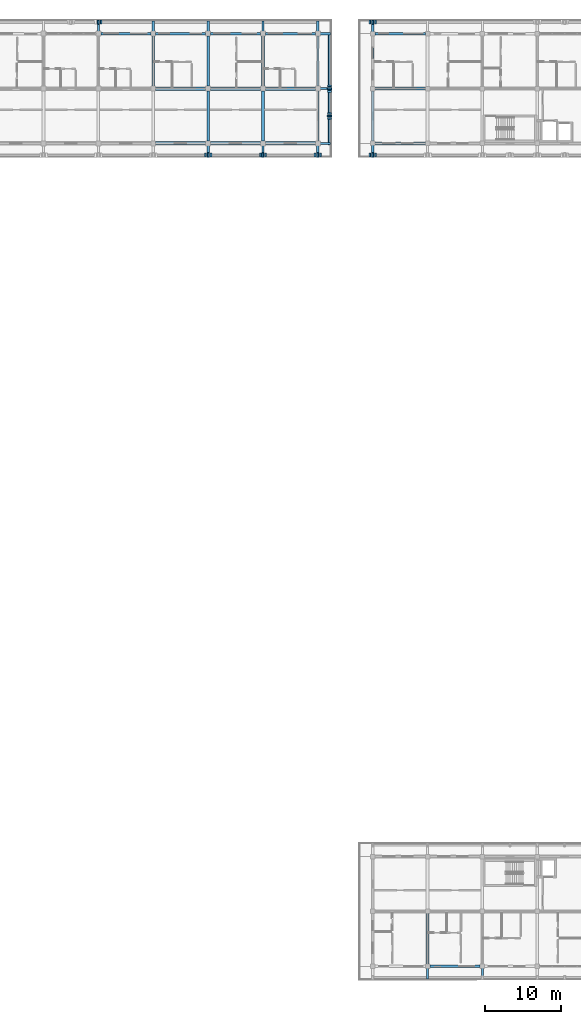
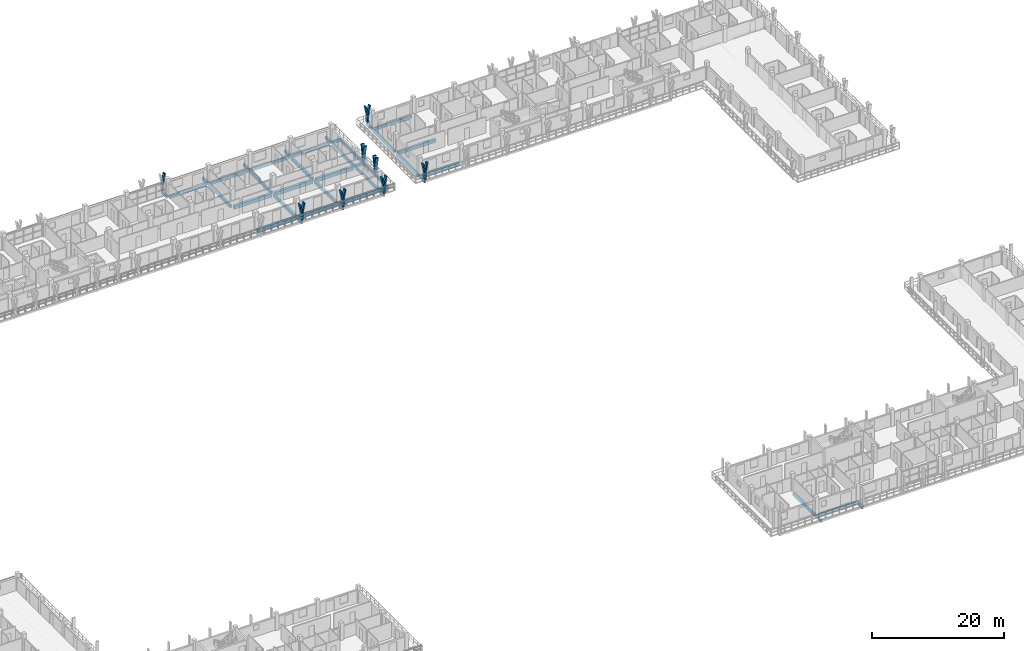
# One storey, part 21 of 76: 40 beams, 23 members.
"""IFC4 building model written with IfcOpenShell, lengths in metres."""

import ifcopenshell
import ifcopenshell.guid

model = None  # the IFC model being written
_history = None  # IfcOwnerHistory: only IFC2X3 demands one
_inside = {}  # id of a spatial element -> (the spatial element, [elements in it])
_under = {}  # id of a project, library or spatial element -> (it, [spatial elements below it])
_declared = {}  # id of a project -> (the project, [libraries it declares])
_typed = {}  # id of a type object -> (the type object, [elements of that type])
_made_of = {}  # id of a material, layer set ... -> (it, [elements and type objects made of it])


def new_model(schema):
    """Start an empty IFC model of exactly this schema.

    Asked for "IFC4X3", IfcOpenShell would pick the latest addendum, in which some entities
    have other attributes; the version numbers below select the first issue.
    IFC2X3 requires an IfcOwnerHistory on every rooted entity: one is made here for all.
    """
    global model, _history
    if schema == "IFC4X3":
        model = ifcopenshell.file(schema_version=(4, 3, 0, 0))
    else:
        model = ifcopenshell.file(schema=schema)
    _inside.clear()
    _under.clear()
    _declared.clear()
    _typed.clear()
    _made_of.clear()
    _history = None
    if model.schema == "IFC2X3":
        org = make("IfcOrganization", Name="unknown")
        user = make(
            "IfcPersonAndOrganization",
            ThePerson=make("IfcPerson", FamilyName="unknown"),
            TheOrganization=org,
        )
        app = make(
            "IfcApplication",
            ApplicationDeveloper=org,
            Version="unknown",
            ApplicationFullName="unknown",
            ApplicationIdentifier="unknown",
        )
        _history = make(
            "IfcOwnerHistory",
            OwningUser=user,
            OwningApplication=app,
            ChangeAction="ADDED",
            CreationDate=0,
        )
    return model


def make(cls, **values):
    """One entity of the class cls with the attributes given. An attribute that is None is left unset."""
    return model.create_entity(
        cls, **{name: value for name, value in values.items() if value is not None}
    )


def rooted(cls, **values):
    """An entity with a GlobalId (a new one), such as an element, a storey or a relation."""
    return make(cls, GlobalId=ifcopenshell.guid.new(), OwnerHistory=_history, **values)


def si_unit(unit_type, name, prefix=None):
    """IfcSIUnit, for example si_unit("LENGTHUNIT", "METRE", prefix="MILLI")."""
    return make("IfcSIUnit", UnitType=unit_type, Prefix=prefix, Name=name)


def assignment(units):
    """IfcUnitAssignment: the units of a project."""
    return None if units is None else make("IfcUnitAssignment", Units=units)


def point(xyz):
    """IfcCartesianPoint."""
    return None if xyz is None else make("IfcCartesianPoint", Coordinates=xyz)


def direction(xyz):
    """IfcDirection."""
    return None if xyz is None else make("IfcDirection", DirectionRatios=xyz)


def frame(location, z_axis=None, x_axis=None):
    """IfcAxis2Placement3D, a coordinate frame: its origin and axes. An axis left out is left unset."""
    return make(
        "IfcAxis2Placement3D",
        Location=point(location),
        Axis=direction(z_axis),
        RefDirection=direction(x_axis),
    )


def frame_2d(location, x_axis=None):
    """IfcAxis2Placement2D, a coordinate frame in the plane: its origin and x axis."""
    return make(
        "IfcAxis2Placement2D", Location=point(location), RefDirection=direction(x_axis)
    )


def origin():
    """The frame at (0, 0, 0) with its axes left unset."""
    return frame((0.0, 0.0, 0.0))


def origin_2d():
    """The frame at (0, 0) in the plane with its x axis left unset."""
    return frame_2d((0.0, 0.0))


def place(relative_to, where):
    """IfcLocalPlacement: puts the frame where relative to a parent placement (None: the world)."""
    return make(
        "IfcLocalPlacement", PlacementRelTo=relative_to, RelativePlacement=where
    )


def context(
    kind, dimensions, precision=None, world=None, true_north=None, identifier=None
):
    """IfcGeometricRepresentationContext, for example the 3D "Model" context."""
    return make(
        "IfcGeometricRepresentationContext",
        ContextIdentifier=identifier,
        ContextType=kind,
        CoordinateSpaceDimension=dimensions,
        Precision=precision,
        WorldCoordinateSystem=world,
        TrueNorth=true_north,
    )


def subcontext(parent, identifier, kind, view, scale=None):
    """IfcGeometricRepresentationSubContext, for example "Body" below "Model"."""
    return make(
        "IfcGeometricRepresentationSubContext",
        ContextIdentifier=identifier,
        ContextType=kind,
        ParentContext=parent,
        TargetScale=scale,
        TargetView=view,
    )


def project(units=None, contexts=None):
    """IfcProject with its units and contexts."""
    return rooted(
        "IfcProject",
        Name="project",
        RepresentationContexts=contexts,
        UnitsInContext=assignment(units),
    )


def spatial(cls, under=None, at=None, **own):
    """A site, building, storey or space (cls), placed at a placement, below another one or the project."""
    s = rooted(cls, ObjectPlacement=at, **own)
    if under is not None:
        _under.setdefault(under.id(), (under, []))[1].append(s)
    return s


def profile(cls, at=None, kind="AREA", **sizes):
    """A parametric profile (cls). Its sizes go by their IFC names, for example OverallWidth=200.0."""
    return make(cls, ProfileType=kind, Position=at, **sizes)


def rectangle(**sizes):
    """IfcRectangleProfileDef."""
    return profile("IfcRectangleProfileDef", **sizes)


def extrude(swept, where, along, depth):
    """IfcExtrudedAreaSolid: the profile swept, set in the frame where, extruded along a direction by depth."""
    return make(
        "IfcExtrudedAreaSolid",
        SweptArea=swept,
        Position=where,
        ExtrudedDirection=direction(along),
        Depth=depth,
    )


def shape(context_of_items, identifier, shape_type, items):
    """IfcShapeRepresentation: the items that make up one representation, for example the "Body"."""
    return make(
        "IfcShapeRepresentation",
        ContextOfItems=context_of_items,
        RepresentationIdentifier=identifier,
        RepresentationType=shape_type,
        Items=items,
    )


def material(Name=None, Category=None):
    """IfcMaterial."""
    return make("IfcMaterial", Name=Name, Category=Category)


def material_profile(
    of_material, cross_section, Name=None, Category=None, Priority=None
):
    """IfcMaterialProfile: a cross section and its material."""
    return make(
        "IfcMaterialProfile",
        Name=Name,
        Material=of_material,
        Profile=cross_section,
        Priority=Priority,
        Category=Category,
    )


def profile_set(profiles, Name=None, composite=None):
    """IfcMaterialProfileSet."""
    return make(
        "IfcMaterialProfileSet",
        Name=Name,
        MaterialProfiles=profiles,
        CompositeProfile=composite,
    )


def made_of(thing, what):
    """Note that an element or type object is made of a material, layer set ...; save() writes the relation."""
    if what is not None:
        _made_of.setdefault(what.id(), (what, []))[1].append(thing)
    return thing


def type_object(cls, material=None, **own):
    """A type object (cls), such as IfcWallType, which elements share."""
    return made_of(rooted(cls, **own), material)


def element(
    cls,
    number,
    at=None,
    inside=None,
    cuts=None,
    type_object=None,
    material=None,
    context=None,
    identifier="Body",
    shape_type=None,
    held_by="IfcProductDefinitionShape",
    body=None,
    shapes=None,
    **own,
):
    """One element of the class cls, such as IfcWall. Its Tag is "e" and its number.

    at: its placement. inside: the storey or other place that contains it. cuts: it is an
    opening in that element (IfcRelVoidsElement). A single representation is given by context,
    identifier, shape_type and body (its items); several are given by shapes. held_by: the class
    of the entity that holds the representations. save() writes the other relations.
    """
    e = rooted(cls, Tag="e%d" % number, ObjectPlacement=at, **own)
    if body is not None:
        shapes = [shape(context, identifier, shape_type, body)]
    if shapes is not None:
        e.Representation = make(held_by, Representations=shapes)
    if inside is not None:
        _inside.setdefault(inside.id(), (inside, []))[1].append(e)
    if cuts is not None:
        rooted(
            "IfcRelVoidsElement", RelatingBuildingElement=cuts, RelatedOpeningElement=e
        )
    if type_object is not None:
        _typed.setdefault(type_object.id(), (type_object, []))[1].append(e)
    return made_of(e, material)


def aggregate(whole, parts):
    """IfcRelAggregates: a whole, such as a stair, and the parts it consists of."""
    return rooted("IfcRelAggregates", RelatingObject=whole, RelatedObjects=parts)


def save(model, path):
    """Write the relations noted so far, then the file.

    IfcRelAggregates (storeys below a building ...), IfcRelContainedInSpatialStructure (elements
    in a storey), IfcRelDefinesByType, IfcRelAssociatesMaterial and IfcRelDeclares: one each for
    every whole, place, type object, material and project.
    """
    for whole, parts in _under.values():
        aggregate(whole, parts)
    for where, things in _inside.values():
        rooted(
            "IfcRelContainedInSpatialStructure",
            RelatedElements=things,
            RelatingStructure=where,
        )
    for kind, things in _typed.values():
        rooted("IfcRelDefinesByType", RelatedObjects=things, RelatingType=kind)
    for what, things in _made_of.values():
        rooted("IfcRelAssociatesMaterial", RelatedObjects=things, RelatingMaterial=what)
    for by, libraries in _declared.values():
        rooted("IfcRelDeclares", RelatingContext=by, RelatedDefinitions=libraries)
    model.write(path)


model = new_model("IFC4")

# Units and contexts
model_context = context("Model", 3, precision=1e-05, world=origin(), true_north=direction((0.0, 1.0)))
body_context = subcontext(model_context, "Body", "Model", "MODEL_VIEW")
ifc_project = project(units=[si_unit("LENGTHUNIT", "METRE"), si_unit("AREAUNIT", "SQUARE_METRE"), si_unit("VOLUMEUNIT", "CUBIC_METRE"), si_unit("PLANEANGLEUNIT", "RADIAN"), si_unit("MASSUNIT", "GRAM", prefix="KILO")], contexts=[model_context])

# Site, building, storey
site_placement = place(None, origin())
site = spatial("IfcSite", under=ifc_project, at=site_placement, CompositionType="ELEMENT")
building_placement = place(site_placement, origin())
building = spatial("IfcBuilding", under=site, at=building_placement, Name="Suanplinth Sawtooth Commons", CompositionType="ELEMENT")
storey_placement = place(building_placement, frame((0.0, 0.0, 12.199951171875)))
storey = spatial("IfcBuildingStorey", under=building, at=storey_placement, Name="L03", CompositionType="ELEMENT", Elevation=12.199951171875)

# Beams
ifc_material_1 = material(Name="Precast concrete C40/50", Category="concrete")
ifc_material_profile_1 = material_profile(ifc_material_1, rectangle(XDim=0.449951171875, YDim=0.64990234375, at=origin_2d()), Name="PC-GDR 450x650")
ifc_profile_set_1 = profile_set([ifc_material_profile_1], Name="Precast concrete C40/50")
beam_type_1 = type_object("IfcBeamType", Name="B-04", PredefinedType="USERDEFINED", material=ifc_profile_set_1)
for number, where, z_axis, x_axis, name in (
    (1, (93.925048828125, 108.0, -0.56494140625), (1.0, 0.0, 0.0), (0.0, 1.0, 0.0), "BMX-L03-A-13-15"),
    (2, (93.925048828125, 115.199951171875, -0.56494140625), (1.0, 0.0, 0.0), (0.0, 1.0, 0.0), "BMX-L03-A-13-16"),
    (3, (101.125, 108.0, -0.56494140625), (1.0, 0.0, 0.0), (0.0, 1.0, 0.0), "BMX-L03-A-14-15"),
    (4, (101.125, 115.199951171875, -0.56494140625), (1.0, 0.0, 0.0), (0.0, 1.0, 0.0), "BMX-L03-A-14-16"),
    (5, (108.324951171875, 108.0, -0.56494140625), (1.0, 0.0, 0.0), (0.0, 1.0, 0.0), "BMX-L03-A-15-15"),
    (6, (108.324951171875, 115.199951171875, -0.56494140625), (1.0, 0.0, 0.0), (0.0, 1.0, 0.0), "BMX-L03-A-15-16"),
):
    element("IfcBeam", number, at=place(storey_placement, frame(where, z_axis=z_axis, x_axis=x_axis)), inside=storey, type_object=beam_type_1, Name=name, ObjectType="GIRDER", PredefinedType="USERDEFINED", context=body_context, shape_type="SweptSolid", body=[
        extrude(rectangle(XDim=0.449951171875, YDim=0.64990234375, at=origin_2d()), origin(), (0.0, 0.0, 1.0), 6.550048828125),
    ])
ifc_material_profile_2 = material_profile(ifc_material_1, rectangle(XDim=0.39990234375, YDim=0.60009765625, at=origin_2d()), Name="PC-GDR 400x600")
ifc_profile_set_2 = profile_set([ifc_material_profile_2], Name="Precast concrete C40/50")
beam_type_2 = type_object("IfcBeamType", Name="B-05", PredefinedType="USERDEFINED", material=ifc_profile_set_2)
for number, where, z_axis, x_axis, name in (
    (7, (122.699951171875, 108.0, -0.5400390625), (1.0, 0.0, 0.0), (0.0, 1.0, 0.0), "BMX-L03-B-17-15"),
    (8, (122.699951171875, 115.199951171875, -0.5400390625), (1.0, 0.0, 0.0), (0.0, 1.0, 0.0), "BMX-L03-B-17-16"),
):
    element("IfcBeam", number, at=place(storey_placement, frame(where, z_axis=z_axis, x_axis=x_axis)), inside=storey, type_object=beam_type_2, Name=name, ObjectType="GIRDER", PredefinedType="USERDEFINED", context=body_context, shape_type="SweptSolid", body=[
        extrude(rectangle(XDim=0.39990234375, YDim=0.60009765625, at=origin_2d()), origin(), (0.0, 0.0, 1.0), 6.60009765625),
    ])
ifc_material_profile_3 = material_profile(ifc_material_1, rectangle(XDim=0.35009765625, YDim=0.550048828125, at=origin_2d()), Name="PC-BM 350x550")
ifc_profile_set_3 = profile_set([ifc_material_profile_3], Name="Precast concrete C40/50")
beam_type_3 = type_object("IfcBeamType", Name="B-06", PredefinedType="BEAM", material=ifc_profile_set_3)
for number, where, z_axis, x_axis, name in (
    (9, (93.60009765625, 115.52490234375, -0.514892578125), (0.0, 1.0, 0.0), (-1.0, 0.0, 0.0), "BMY-L03-A-13-16"),
    (10, (100.800048828125, 108.324951171875, -0.514892578125), (0.0, 1.0, 0.0), (-1.0, 0.0, 0.0), "BMY-L03-A-14-15"),
    (11, (100.800048828125, 115.52490234375, -0.514892578125), (0.0, 1.0, 0.0), (-1.0, 0.0, 0.0), "BMY-L03-A-14-16"),
    (12, (108.0, 108.324951171875, -0.514892578125), (0.0, 1.0, 0.0), (-1.0, 0.0, 0.0), "BMY-L03-A-15-15"),
    (13, (108.0, 115.52490234375, -0.514892578125), (0.0, 1.0, 0.0), (-1.0, 0.0, 0.0), "BMY-L03-A-15-16"),
):
    element("IfcBeam", number, at=place(storey_placement, frame(where, z_axis=z_axis, x_axis=x_axis)), inside=storey, type_object=beam_type_3, Name=name, PredefinedType="BEAM", context=body_context, shape_type="SweptSolid", body=[
        extrude(rectangle(XDim=0.35009765625, YDim=0.550048828125, at=origin_2d()), origin(), (0.0, 0.0, 1.0), 6.550048828125),
    ])
beam_1_placement = place(storey_placement, frame((122.39990234375, 108.300048828125, -0.514892578125), z_axis=(0.0, 1.0, 0.0), x_axis=(-1.0, 0.0, 0.0)))
element("IfcBeam", 14, at=beam_1_placement, inside=storey, type_object=beam_type_3, Name="BMY-L03-B-17-15", PredefinedType="BEAM", context=body_context, shape_type="SweptSolid", body=[
    extrude(rectangle(XDim=0.35009765625, YDim=0.550048828125, at=origin_2d()), origin(), (0.0, 0.0, 1.0), 6.599853515625),
])
beam_2_placement = place(storey_placement, frame((122.39990234375, 115.5, -0.514892578125), z_axis=(0.0, 1.0, 0.0), x_axis=(-1.0, 0.0, 0.0)))
element("IfcBeam", 15, at=beam_2_placement, inside=storey, type_object=beam_type_3, Name="BMY-L03-B-17-16", PredefinedType="BEAM", context=body_context, shape_type="SweptSolid", body=[
    extrude(rectangle(XDim=0.35009765625, YDim=0.550048828125, at=origin_2d()), origin(), (0.0, 0.0, 1.0), 6.60009765625),
])
beam_3_placement = place(storey_placement, frame((129.60009765625, 0.300048828125, -0.514892578125), z_axis=(0.0, 1.0, 0.0), x_axis=(-1.0, 0.0, 0.0)))
element("IfcBeam", 16, at=beam_3_placement, inside=storey, type_object=beam_type_3, Name="BMY-L03-C-18-0", PredefinedType="BEAM", context=body_context, shape_type="SweptSolid", body=[
    extrude(rectangle(XDim=0.35009765625, YDim=0.550048828125, at=origin_2d()), origin(), (0.0, 0.0, 1.0), 6.599853515625),
])
ifc_material_profile_4 = material_profile(ifc_material_1, rectangle(XDim=0.300048828125, YDim=0.5, at=origin_2d()), Name="PC-BM 300x500")
ifc_profile_set_4 = profile_set([ifc_material_profile_4], Name="Precast concrete C40/50")
beam_type_4 = type_object("IfcBeamType", Name="B-07", PredefinedType="BEAM", material=ifc_profile_set_4)
for number, where, z_axis, x_axis, name in (
    (17, (86.39990234375, 122.39990234375, -0.429931640625), (0.0, 1.0, 0.0), (-1.0, 0.0, 0.0), "Balcony Outrigger L03-A-N-12"),
    (18, (93.60009765625, 122.39990234375, -0.429931640625), (0.0, 1.0, 0.0), (-1.0, 0.0, 0.0), "Balcony Outrigger L03-A-N-13"),
    (19, (100.800048828125, 122.39990234375, -0.429931640625), (0.0, 1.0, 0.0), (-1.0, 0.0, 0.0), "Balcony Outrigger L03-A-N-14"),
    (20, (108.0, 122.39990234375, -0.429931640625), (0.0, 1.0, 0.0), (-1.0, 0.0, 0.0), "Balcony Outrigger L03-A-N-15"),
    (21, (115.199951171875, 122.39990234375, -0.429931640625), (0.0, 1.0, 0.0), (-1.0, 0.0, 0.0), "Balcony Outrigger L03-A-N-16"),
):
    element("IfcBeam", number, at=place(storey_placement, frame(where, z_axis=z_axis, x_axis=x_axis)), inside=storey, type_object=beam_type_4, Name=name, PredefinedType="BEAM", context=body_context, shape_type="SweptSolid", body=[
        extrude(rectangle(XDim=0.300048828125, YDim=0.5, at=origin_2d()), origin(), (0.0, 0.0, 1.0), 1.64013671875),
    ])
for number, where, z_axis, x_axis, name in (
    (22, (100.800048828125, 108.0, -0.429931640625), (0.0, -1.0, 0.0), (1.0, 0.0, 0.0), "Balcony Outrigger L03-A-S-14"),
    (23, (108.0, 108.0, -0.429931640625), (0.0, -1.0, 0.0), (1.0, 0.0, 0.0), "Balcony Outrigger L03-A-S-15"),
    (24, (115.199951171875, 108.0, -0.429931640625), (0.0, -1.0, 0.0), (1.0, 0.0, 0.0), "Balcony Outrigger L03-A-S-16"),
):
    element("IfcBeam", number, at=place(storey_placement, frame(where, z_axis=z_axis, x_axis=x_axis)), inside=storey, type_object=beam_type_4, Name=name, PredefinedType="BEAM", context=body_context, shape_type="SweptSolid", body=[
        extrude(rectangle(XDim=0.300048828125, YDim=0.5, at=origin_2d()), origin(), (0.0, 0.0, 1.0), 1.639892578125),
    ])
for number, where, z_axis, x_axis, name in (
    (25, (115.199951171875, 108.0, -0.429931640625), (1.0, 0.0, 0.0), (0.0, 1.0, 0.0), "Balcony Outrigger L03-A-E-15"),
    (26, (115.199951171875, 115.199951171875, -0.429931640625), (1.0, 0.0, 0.0), (0.0, 1.0, 0.0), "Balcony Outrigger L03-A-E-16"),
    (27, (115.199951171875, 122.39990234375, -0.429931640625), (1.0, 0.0, 0.0), (0.0, 1.0, 0.0), "Balcony Outrigger L03-A-E-17"),
    (28, (122.39990234375, 122.39990234375, -0.429931640625), (0.0, 1.0, 0.0), (-1.0, 0.0, 0.0), "Balcony Outrigger L03-B-N-17"),
):
    element("IfcBeam", number, at=place(storey_placement, frame(where, z_axis=z_axis, x_axis=x_axis)), inside=storey, type_object=beam_type_4, Name=name, PredefinedType="BEAM", context=body_context, shape_type="SweptSolid", body=[
        extrude(rectangle(XDim=0.300048828125, YDim=0.5, at=origin_2d()), origin(), (0.0, 0.0, 1.0), 1.64013671875),
    ])
for number, where, z_axis, x_axis, name in (
    (29, (122.39990234375, 108.0, -0.425048828125), (0.0, -1.0, 0.0), (1.0, 0.0, 0.0), "Balcony Outrigger L03-B-SC-17"),
    (30, (129.60009765625, 0.0, -0.429931640625), (0.0, -1.0, 0.0), (1.0, 0.0, 0.0), "Balcony Outrigger L03-C-S-18"),
    (31, (136.800048828125, 0.0, -0.429931640625), (0.0, -1.0, 0.0), (1.0, 0.0, 0.0), "Balcony Outrigger L03-C-S-19"),
):
    element("IfcBeam", number, at=place(storey_placement, frame(where, z_axis=z_axis, x_axis=x_axis)), inside=storey, type_object=beam_type_4, Name=name, PredefinedType="BEAM", context=body_context, shape_type="SweptSolid", body=[
        extrude(rectangle(XDim=0.300048828125, YDim=0.5, at=origin_2d()), origin(), (0.0, 0.0, 1.0), 1.639892578125),
    ])
ifc_material_profile_5 = material_profile(ifc_material_1, rectangle(XDim=0.280029296875, YDim=0.52001953125, at=origin_2d()), Name="PC-SP 280x520")
ifc_profile_set_5 = profile_set([ifc_material_profile_5], Name="Precast concrete C40/50")
beam_type_5 = type_object("IfcBeamType", Name="B-08", PredefinedType="SPANDREL", material=ifc_profile_set_5)
beam_4_placement = place(storey_placement, frame((86.72509765625, 122.39990234375, -0.5), z_axis=(1.0, 0.0, 0.0), x_axis=(0.0, 1.0, 0.0)))
element("IfcBeam", 32, at=beam_4_placement, inside=storey, type_object=beam_type_5, Name="BMX-L03-A-12-17", PredefinedType="SPANDREL", context=body_context, shape_type="SweptSolid", body=[
    extrude(rectangle(XDim=0.280029296875, YDim=0.52001953125, at=origin_2d()), origin(), (0.0, 0.0, 1.0), 6.5498046875),
])
for number, where, z_axis, x_axis, name in (
    (33, (93.925048828125, 122.39990234375, -0.5), (1.0, 0.0, 0.0), (0.0, 1.0, 0.0), "BMX-L03-A-13-17"),
    (34, (101.125, 122.39990234375, -0.5), (1.0, 0.0, 0.0), (0.0, 1.0, 0.0), "BMX-L03-A-14-17"),
    (35, (108.324951171875, 122.39990234375, -0.5), (1.0, 0.0, 0.0), (0.0, 1.0, 0.0), "BMX-L03-A-15-17"),
    (36, (115.199951171875, 108.324951171875, -0.5), (0.0, 1.0, 0.0), (-1.0, 0.0, 0.0), "BMY-L03-A-16-15"),
    (37, (115.199951171875, 115.52490234375, -0.5), (0.0, 1.0, 0.0), (-1.0, 0.0, 0.0), "BMY-L03-A-16-16"),
):
    element("IfcBeam", number, at=place(storey_placement, frame(where, z_axis=z_axis, x_axis=x_axis)), inside=storey, type_object=beam_type_5, Name=name, PredefinedType="SPANDREL", context=body_context, shape_type="SweptSolid", body=[
        extrude(rectangle(XDim=0.280029296875, YDim=0.52001953125, at=origin_2d()), origin(), (0.0, 0.0, 1.0), 6.550048828125),
    ])
for number, where, z_axis, x_axis, name in (
    (38, (122.699951171875, 122.39990234375, -0.5), (1.0, 0.0, 0.0), (0.0, 1.0, 0.0), "BMX-L03-B-17-17"),
    (39, (129.89990234375, 0.0, -0.5), (1.0, 0.0, 0.0), (0.0, 1.0, 0.0), "BMX-L03-C-18-0"),
):
    element("IfcBeam", number, at=place(storey_placement, frame(where, z_axis=z_axis, x_axis=x_axis)), inside=storey, type_object=beam_type_5, Name=name, PredefinedType="SPANDREL", context=body_context, shape_type="SweptSolid", body=[
        extrude(rectangle(XDim=0.280029296875, YDim=0.52001953125, at=origin_2d()), origin(), (0.0, 0.0, 1.0), 6.60009765625),
    ])
ifc_material_profile_6 = material_profile(ifc_material_1, rectangle(XDim=0.25, YDim=0.449951171875, at=origin_2d()), Name="PC-SP 250x450")
ifc_profile_set_6 = profile_set([ifc_material_profile_6], Name="Precast concrete C40/50")
beam_type_6 = type_object("IfcBeamType", Name="B-09", PredefinedType="SPANDREL", material=ifc_profile_set_6)
beam_5_placement = place(storey_placement, frame((116.719970703125, 107.85009765625, -0.405029296875), z_axis=(0.0, 1.0, 0.0), x_axis=(-1.0, 0.0, 0.0)))
element("IfcBeam", 40, at=beam_5_placement, inside=storey, type_object=beam_type_6, Name="Balcony Edge Fascia L03-A-E", PredefinedType="SPANDREL", context=body_context, shape_type="SweptSolid", body=[
    extrude(rectangle(XDim=0.25, YDim=0.449951171875, at=origin_2d()), origin(), (0.0, 0.0, 1.0), 14.699951171875),
])

# Members
ifc_material_2 = material(Name="Pigmented precast concrete C40/50", Category="concrete")
ifc_material_profile_7 = material_profile(ifc_material_2, rectangle(XDim=0.260009765625, YDim=0.550048828125, at=origin_2d()), Name="PC-FIN 260x550")
ifc_profile_set_7 = profile_set([ifc_material_profile_7], Name="Pigmented precast concrete C40/50")
member_type_1 = type_object("IfcMemberType", Name="M-09", PredefinedType="USERDEFINED", material=ifc_profile_set_7)
for number, where, z_axis, x_axis, name in (
    (41, (86.39990234375, 123.919921875, 0.0), (0.0, 0.0, 1.0), (1.0, 0.0, 0.0), "Y-Blade Stem L03-A-N-09"),
    (42, (100.800048828125, 106.47998046875, 0.0), (0.0, 0.0, 1.0), (1.0, 0.0, 0.0), "Y-Blade Stem L03-A-S-28"),
    (43, (108.0, 106.47998046875, 0.0), (0.0, 0.0, 1.0), (1.0, 0.0, 0.0), "Y-Blade Stem L03-A-S-29"),
    (44, (115.199951171875, 106.47998046875, 0.0), (0.0, 0.0, 1.0), (1.0, 0.0, 0.0), "Y-Blade Stem L03-A-S-30"),
    (45, (116.719970703125, 111.60009765625, 0.0), (0.0, 0.0, 1.0), (0.0, 1.0, 0.0), "Y-Blade Stem L03-A-E-33"),
    (46, (116.719970703125, 115.199951171875, 0.0), (0.0, 0.0, 1.0), (0.0, 1.0, 0.0), "Y-Blade Stem L03-A-E-34"),
    (47, (122.39990234375, 123.919921875, 0.0), (0.0, 0.0, 1.0), (1.0, 0.0, 0.0), "Y-Blade Stem L03-B-N-01"),
    (48, (122.39990234375, 106.47998046875, 0.0), (0.0, 0.0, 1.0), (1.0, 0.0, 0.0), "Y-Blade Stem L03-B-SC-15"),
):
    element("IfcMember", number, at=place(storey_placement, frame(where, z_axis=z_axis, x_axis=x_axis)), inside=storey, type_object=member_type_1, Name=name, ObjectType="SHADING FIN", PredefinedType="USERDEFINED", context=body_context, shape_type="SweptSolid", body=[
        extrude(rectangle(XDim=0.260009765625, YDim=0.550048828125, at=origin_2d()), origin(), (0.0, 0.0, 1.0), 1.170166015625),
    ])
ifc_material_profile_8 = material_profile(ifc_material_2, rectangle(XDim=0.219970703125, YDim=0.550048828125, at=origin_2d()), Name="PC-FIN 220x550")
ifc_profile_set_8 = profile_set([ifc_material_profile_8], Name="Pigmented precast concrete C40/50")
member_type_2 = type_object("IfcMemberType", Name="M-10", PredefinedType="USERDEFINED", material=ifc_profile_set_8)
for number, where, z_axis, x_axis, name in (
    (49, (86.39990234375, 123.919921875, 1.130126953125), (0.196431120402, 0.0, 0.980517626021), (-0.980517626021, 0.0, 0.196431120402), "Y-Blade Arm R L03-A-N-09"),
    (50, (100.800048828125, 106.47998046875, 1.130126953125), (-0.196431120402, 0.0, 0.980517626021), (0.980517626021, 0.0, 0.196431120402), "Y-Blade Arm L L03-A-S-28"),
):
    element("IfcMember", number, at=place(storey_placement, frame(where, z_axis=z_axis, x_axis=x_axis)), inside=storey, type_object=member_type_2, Name=name, ObjectType="SHADING FIN", PredefinedType="USERDEFINED", context=body_context, shape_type="SweptSolid", body=[
        extrude(rectangle(XDim=0.219970703125, YDim=0.550048828125, at=origin_2d()), origin(), (0.0, 0.0, 1.0), 1.937744140625),
    ])
member_1_placement = place(storey_placement, frame((100.800048828125, 106.47998046875, 1.130126953125), z_axis=(0.196309979414, 0.0, 0.980541886909), x_axis=(-0.980541886909, 0.0, 0.196309979414)))
element("IfcMember", 51, at=member_1_placement, inside=storey, type_object=member_type_2, Name="Y-Blade Arm R L03-A-S-28", ObjectType="SHADING FIN", PredefinedType="USERDEFINED", context=body_context, shape_type="SweptSolid", body=[
    extrude(rectangle(XDim=0.219970703125, YDim=0.550048828125, at=origin_2d()), origin(), (0.0, 0.0, 1.0), 1.9375),
])
for number, where, z_axis, x_axis, name in (
    (52, (108.0, 106.47998046875, 1.130126953125), (-0.196431120402, 0.0, 0.980517626021), (0.980517626021, 0.0, 0.196431120402), "Y-Blade Arm L L03-A-S-29"),
    (53, (108.0, 106.47998046875, 1.130126953125), (0.196431120402, 0.0, 0.980517626021), (-0.980517626021, 0.0, 0.196431120402), "Y-Blade Arm R L03-A-S-29"),
):
    element("IfcMember", number, at=place(storey_placement, frame(where, z_axis=z_axis, x_axis=x_axis)), inside=storey, type_object=member_type_2, Name=name, ObjectType="SHADING FIN", PredefinedType="USERDEFINED", context=body_context, shape_type="SweptSolid", body=[
        extrude(rectangle(XDim=0.219970703125, YDim=0.550048828125, at=origin_2d()), origin(), (0.0, 0.0, 1.0), 1.937744140625),
    ])
member_2_placement = place(storey_placement, frame((115.199951171875, 106.47998046875, 1.130126953125), z_axis=(-0.196309979414, 0.0, 0.980541886909), x_axis=(0.980541886909, 0.0, 0.196309979414)))
element("IfcMember", 54, at=member_2_placement, inside=storey, type_object=member_type_2, Name="Y-Blade Arm L L03-A-S-30", ObjectType="SHADING FIN", PredefinedType="USERDEFINED", context=body_context, shape_type="SweptSolid", body=[
    extrude(rectangle(XDim=0.219970703125, YDim=0.550048828125, at=origin_2d()), origin(), (0.0, 0.0, 1.0), 1.9375),
])
for number, where, z_axis, x_axis, name in (
    (55, (115.199951171875, 106.47998046875, 1.130126953125), (0.196431120402, 0.0, 0.980517626021), (-0.980517626021, 0.0, 0.196431120402), "Y-Blade Arm R L03-A-S-30"),
    (56, (116.719970703125, 111.60009765625, 1.130126953125), (0.0, -0.196431120402, 0.980517626021), (0.0, 0.980517626021, 0.196431120402), "Y-Blade Arm L L03-A-E-33"),
):
    element("IfcMember", number, at=place(storey_placement, frame(where, z_axis=z_axis, x_axis=x_axis)), inside=storey, type_object=member_type_2, Name=name, ObjectType="SHADING FIN", PredefinedType="USERDEFINED", context=body_context, shape_type="SweptSolid", body=[
        extrude(rectangle(XDim=0.219970703125, YDim=0.550048828125, at=origin_2d()), origin(), (0.0, 0.0, 1.0), 1.937744140625),
    ])
for number, where, z_axis, x_axis, name in (
    (57, (116.719970703125, 111.60009765625, 1.130126953125), (0.0, 0.196309979414, 0.980541886909), (0.0, -0.980541886909, 0.196309979414), "Y-Blade Arm R L03-A-E-33"),
    (58, (116.719970703125, 115.199951171875, 1.130126953125), (0.0, -0.196309979414, 0.980541886909), (0.0, 0.980541886909, 0.196309979414), "Y-Blade Arm L L03-A-E-34"),
):
    element("IfcMember", number, at=place(storey_placement, frame(where, z_axis=z_axis, x_axis=x_axis)), inside=storey, type_object=member_type_2, Name=name, ObjectType="SHADING FIN", PredefinedType="USERDEFINED", context=body_context, shape_type="SweptSolid", body=[
        extrude(rectangle(XDim=0.219970703125, YDim=0.550048828125, at=origin_2d()), origin(), (0.0, 0.0, 1.0), 1.9375),
    ])
member_3_placement = place(storey_placement, frame((116.719970703125, 115.199951171875, 1.130126953125), z_axis=(0.0, 0.196431120402, 0.980517626021), x_axis=(0.0, -0.980517626021, 0.196431120402)))
element("IfcMember", 59, at=member_3_placement, inside=storey, type_object=member_type_2, Name="Y-Blade Arm R L03-A-E-34", ObjectType="SHADING FIN", PredefinedType="USERDEFINED", context=body_context, shape_type="SweptSolid", body=[
    extrude(rectangle(XDim=0.219970703125, YDim=0.550048828125, at=origin_2d()), origin(), (0.0, 0.0, 1.0), 1.937744140625),
])
member_4_placement = place(storey_placement, frame((122.39990234375, 123.919921875, 1.130126953125), z_axis=(-0.196309979414, 0.0, 0.980541886909), x_axis=(0.980541886909, 0.0, 0.196309979414)))
element("IfcMember", 60, at=member_4_placement, inside=storey, type_object=member_type_2, Name="Y-Blade Arm L L03-B-N-01", ObjectType="SHADING FIN", PredefinedType="USERDEFINED", context=body_context, shape_type="SweptSolid", body=[
    extrude(rectangle(XDim=0.219970703125, YDim=0.550048828125, at=origin_2d()), origin(), (0.0, 0.0, 1.0), 1.9375),
])
member_5_placement = place(storey_placement, frame((122.39990234375, 123.919921875, 1.130126953125), z_axis=(0.196431120402, 0.0, 0.980517626021), x_axis=(-0.980517626021, 0.0, 0.196431120402)))
element("IfcMember", 61, at=member_5_placement, inside=storey, type_object=member_type_2, Name="Y-Blade Arm R L03-B-N-01", ObjectType="SHADING FIN", PredefinedType="USERDEFINED", context=body_context, shape_type="SweptSolid", body=[
    extrude(rectangle(XDim=0.219970703125, YDim=0.550048828125, at=origin_2d()), origin(), (0.0, 0.0, 1.0), 1.937744140625),
])
member_6_placement = place(storey_placement, frame((122.39990234375, 106.47998046875, 1.130126953125), z_axis=(-0.196309979414, 0.0, 0.980541886909), x_axis=(0.980541886909, 0.0, 0.196309979414)))
element("IfcMember", 62, at=member_6_placement, inside=storey, type_object=member_type_2, Name="Y-Blade Arm L L03-B-SC-15", ObjectType="SHADING FIN", PredefinedType="USERDEFINED", context=body_context, shape_type="SweptSolid", body=[
    extrude(rectangle(XDim=0.219970703125, YDim=0.550048828125, at=origin_2d()), origin(), (0.0, 0.0, 1.0), 1.9375),
])
member_7_placement = place(storey_placement, frame((122.39990234375, 106.47998046875, 1.130126953125), z_axis=(0.196431120402, 0.0, 0.980517626021), x_axis=(-0.980517626021, 0.0, 0.196431120402)))
element("IfcMember", 63, at=member_7_placement, inside=storey, type_object=member_type_2, Name="Y-Blade Arm R L03-B-SC-15", ObjectType="SHADING FIN", PredefinedType="USERDEFINED", context=body_context, shape_type="SweptSolid", body=[
    extrude(rectangle(XDim=0.219970703125, YDim=0.550048828125, at=origin_2d()), origin(), (0.0, 0.0, 1.0), 1.937744140625),
])

save(model, "model.ifc")
